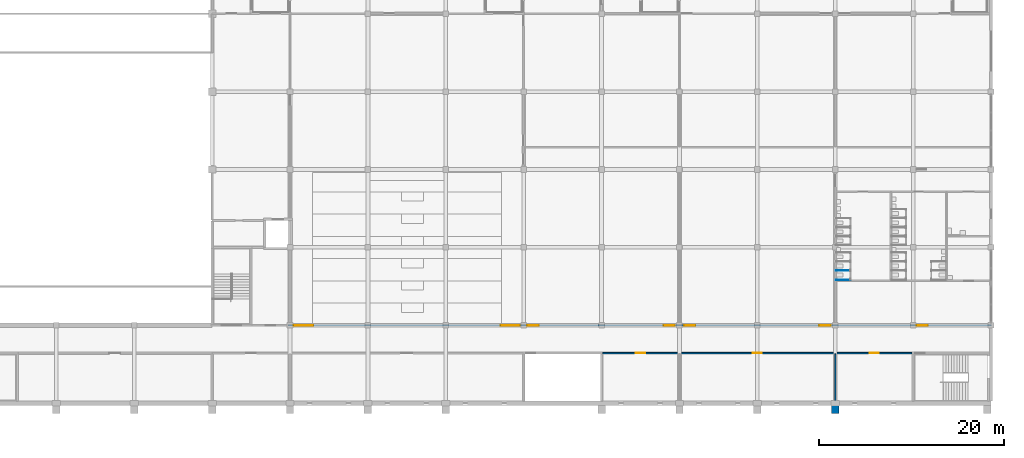
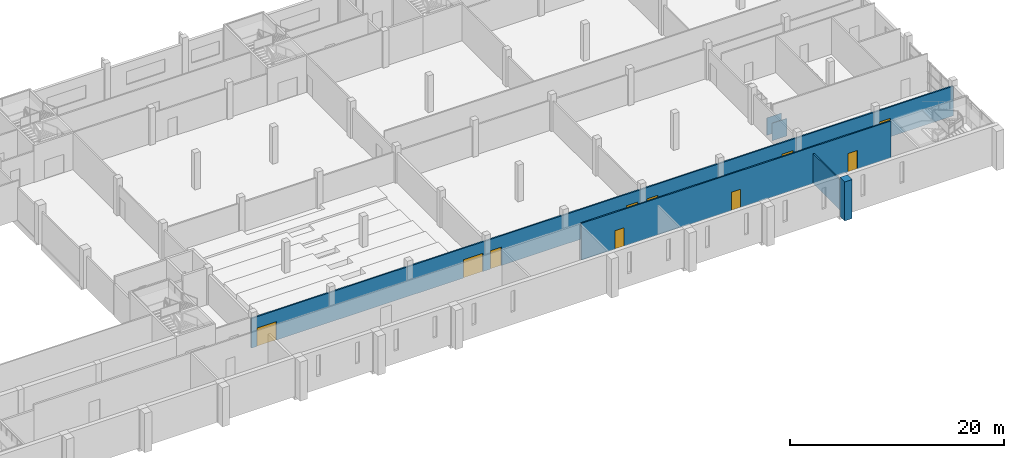
# One storey, part 24 of 56: 10 doors, 6 walls, 10 openings.
"""IFC4 building model written with IfcOpenShell, lengths in metres."""

from ifc_helpers import new_model, si_unit, direction, frame, frame_2d, origin, place, context, subcontext, project, spatial, rectangle, extrude, material, layer, layer_set, type_object, element, fill, save


model = new_model("IFC4")

# Units and contexts
model_context = context("Model", 3, precision=1e-05, world=origin(), true_north=direction((0.0, 1.0)))
body_context = subcontext(model_context, "Body", "Model", "MODEL_VIEW")
ifc_project = project(units=[si_unit("LENGTHUNIT", "METRE"), si_unit("AREAUNIT", "SQUARE_METRE"), si_unit("VOLUMEUNIT", "CUBIC_METRE"), si_unit("PLANEANGLEUNIT", "RADIAN"), si_unit("MASSUNIT", "GRAM", prefix="KILO")], contexts=[model_context])

# Site, building, storey
site_placement = place(None, origin())
site = spatial("IfcSite", under=ifc_project, at=site_placement, CompositionType="ELEMENT")
building_placement = place(site_placement, origin())
building = spatial("IfcBuilding", under=site, at=building_placement, Name="Rulbaag Community and Learning Centre", CompositionType="ELEMENT")
storey_placement = place(building_placement, frame((0.0, 0.0, 9.89990234375)))
storey = spatial("IfcBuildingStorey", under=building, at=storey_placement, Name="L02", CompositionType="ELEMENT", Elevation=9.89990234375)

# Walls
ifc_material_1 = material(Name="High pressure laminate", Category="wood")
ifc_layer_1 = layer(ifc_material_1, 0.0400390625)
ifc_layer_set_1 = layer_set([ifc_layer_1], Name="CP-40")
wall_type_1 = type_object("IfcWallType", Name="CP-40", PredefinedType="PARTITIONING", material=ifc_layer_set_1)
for number, where, z_axis, x_axis, name in (
    (1, (151.27490234375, 13.294921875, 0.0), (0.0, 0.0, 1.0), (1.0, 0.0, 0.0), "Cubicle partition"),
    (2, (151.27490234375, 14.2900390625, 0.0), (0.0, 0.0, 1.0), (1.0, 0.0, 0.0), "Cubicle partition"),
):
    element("IfcWall", number, at=place(storey_placement, frame(where, z_axis=z_axis, x_axis=x_axis)), inside=storey, type_object=wall_type_1, Name=name, PredefinedType="PARTITIONING", context=body_context, shape_type="SweptSolid", body=[
        extrude(rectangle(XDim=1.59521484375, YDim=0.0400390625, at=frame_2d((0.797607421875, 0.0))), origin(), (0.0, 0.0, 1.0), 2.0),
    ])
ifc_material_2 = material(Name="Concrete M40", Category="concrete")
ifc_layer_2 = layer(ifc_material_2, 0.800048828125)
ifc_layer_set_2 = layer_set([ifc_layer_2], Name="EW-BTR")
wall_type_2 = type_object("IfcWallType", Name="EW-BTR", PredefinedType="SOLIDWALL", material=ifc_layer_set_2)
wall_1_placement = place(storey_placement, frame((151.199951171875, -0.22509765625, -0.25), z_axis=(0.0, 0.0, 1.0), x_axis=(0.0, -1.0, 0.0)))
element("IfcWall", 3, at=wall_1_placement, inside=storey, type_object=wall_type_2, Name="Buttress pier", PredefinedType="SOLIDWALL", context=body_context, shape_type="SweptSolid", body=[
    extrude(rectangle(XDim=0.89990234375, YDim=0.800048828125, at=frame_2d((0.449951171875, 0.0))), origin(), (0.0, 0.0, 1.0), 4.4501953125),
])

# Wall, openings, doors
ifc_material_3 = material(Name="Concrete blockwork", Category="masonry")
ifc_layer_3 = layer(ifc_material_3, 0.14990234375)
ifc_layer_set_3 = layer_set([ifc_layer_3], Name="IP-150 PARTITION 150")
wall_type_3 = type_object("IfcWallType", Name="IP-150 PARTITION 150", PredefinedType="PARTITIONING", material=ifc_layer_set_3)
wall_2_placement = place(storey_placement, frame((126.10009765625, 5.39990234375, 0.0), z_axis=(0.0, 0.0, 1.0), x_axis=(1.0, 0.0, 0.0)))
wall_2 = element("IfcWall", 4, at=wall_2_placement, inside=storey, type_object=wall_type_3, Name="Partition L02 6", PredefinedType="PARTITIONING", context=body_context, shape_type="SweptSolid", body=[
    extrude(rectangle(XDim=33.39990234375, YDim=0.14990234375, at=frame_2d((16.699951171875, 0.0))), origin(), (0.0, 0.0, 1.0), 4.2001953125),
])
opening_1_placement = place(wall_2_placement, frame((3.60009765625, 0.0, 0.0)))
opening_1 = element("IfcOpeningElement", 5, at=opening_1_placement, cuts=wall_2, Name="Opening L02-D071", PredefinedType="OPENING", context=body_context, shape_type="SweptSolid", body=[
    extrude(rectangle(XDim=1.0, YDim=2.10009765625, at=frame_2d((0.5, 1.050048828125))), frame((0.0, 0.0849609375, 0.0), z_axis=(0.0, -1.0, 0.0), x_axis=(1.0, 0.0, 0.0)), (0.0, 0.0, 1.0), 0.169921875),
])
opening_2_placement = place(wall_2_placement, frame((16.199951171875, 0.0, 0.0)))
opening_2 = element("IfcOpeningElement", 6, at=opening_2_placement, cuts=wall_2, Name="Opening L02-D078", PredefinedType="OPENING", context=body_context, shape_type="SweptSolid", body=[
    extrude(rectangle(XDim=1.0, YDim=2.10009765625, at=frame_2d((0.5, 1.050048828125))), frame((0.0, 0.0849609375, 0.0), z_axis=(0.0, -1.0, 0.0), x_axis=(1.0, 0.0, 0.0)), (0.0, 0.0, 1.0), 0.169921875),
])
opening_3_placement = place(wall_2_placement, frame((28.800048828125, 0.0, 0.0)))
opening_3 = element("IfcOpeningElement", 7, at=opening_3_placement, cuts=wall_2, Name="Opening L02-D107", PredefinedType="OPENING", context=body_context, shape_type="SweptSolid", body=[
    extrude(rectangle(XDim=1.0, YDim=2.10009765625, at=frame_2d((0.5, 1.050048828125))), frame((0.0, 0.0849609375, 0.0), z_axis=(0.0, -1.0, 0.0), x_axis=(1.0, 0.0, 0.0)), (0.0, 0.0, 1.0), 0.169921875),
])
ifc_material_4 = material(Name="Timber", Category="wood")
door_type_1 = type_object("IfcDoorType", Name="D-1000 DOOR 1000 x 2100", OperationType="SINGLE_SWING_LEFT", PredefinedType="DOOR", material=ifc_material_4)
door_1_placement = place(opening_1_placement, origin())
door_1 = element("IfcDoor", 8, at=door_1_placement, inside=storey, type_object=door_type_1, Name="Door L02-D071", OperationType="SINGLE_SWING_LEFT", OverallHeight=2.10009765625, OverallWidth=1.0, PredefinedType="DOOR", context=body_context, shape_type="SweptSolid", body=[
    extrude(rectangle(XDim=1.0, YDim=2.10009765625, at=frame_2d((0.5, 1.050048828125))), frame((0.0, 0.02490234375, 0.0), z_axis=(0.0, -1.0, 0.0), x_axis=(1.0, 0.0, 0.0)), (0.0, 0.0, 1.0), 0.050048828125),
])
fill(opening_1, door_1)
door_2_placement = place(opening_2_placement, origin())
door_2 = element("IfcDoor", 9, at=door_2_placement, inside=storey, type_object=door_type_1, Name="Door L02-D078", OperationType="SINGLE_SWING_RIGHT", OverallHeight=2.10009765625, OverallWidth=1.0, PredefinedType="DOOR", context=body_context, shape_type="SweptSolid", body=[
    extrude(rectangle(XDim=1.0, YDim=2.10009765625, at=frame_2d((0.5, 1.050048828125))), frame((0.0, 0.02490234375, 0.0), z_axis=(0.0, -1.0, 0.0), x_axis=(1.0, 0.0, 0.0)), (0.0, 0.0, 1.0), 0.050048828125),
])
fill(opening_2, door_2)
door_3_placement = place(opening_3_placement, origin())
door_3 = element("IfcDoor", 10, at=door_3_placement, inside=storey, type_object=door_type_1, Name="Door L02-D107", OperationType="SINGLE_SWING_RIGHT", OverallHeight=2.10009765625, OverallWidth=1.0, PredefinedType="DOOR", context=body_context, shape_type="SweptSolid", body=[
    extrude(rectangle(XDim=1.0, YDim=2.10009765625, at=frame_2d((0.5, 1.050048828125))), frame((0.0, 0.02490234375, 0.0), z_axis=(0.0, -1.0, 0.0), x_axis=(1.0, 0.0, 0.0)), (0.0, 0.0, 1.0), 0.050048828125),
])
fill(opening_3, door_3)

wall_3_placement = place(storey_placement, frame((92.199951171875, 8.39990234375, 0.0), z_axis=(0.0, 0.0, 1.0), x_axis=(1.0, 0.0, 0.0)))
wall_3 = element("IfcWall", 11, at=wall_3_placement, inside=storey, type_object=wall_type_3, Name="Partition L02 8.2", PredefinedType="PARTITIONING", context=body_context, shape_type="SweptSolid", body=[
    extrude(rectangle(XDim=75.800048828125, YDim=0.14990234375, at=frame_2d((37.89990234375, 0.0))), origin(), (0.0, 0.0, 1.0), 3.400146484375),
])
opening_4_placement = place(wall_3_placement, frame((0.60009765625, 0.0, 0.0)))
opening_4 = element("IfcOpeningElement", 12, at=opening_4_placement, cuts=wall_3, Name="Opening L02-D055", PredefinedType="OPENING", context=body_context, shape_type="SweptSolid", body=[
    extrude(rectangle(XDim=2.10009765625, YDim=2.10009765625, at=frame_2d((1.050048828125, 1.050048828125))), frame((0.0, 0.0849609375, 0.0), z_axis=(0.0, -1.0, 0.0), x_axis=(1.0, 0.0, 0.0)), (0.0, 0.0, 1.0), 0.169921875),
])
opening_5_placement = place(wall_3_placement, frame((22.89990234375, 0.0, 0.0)))
opening_5 = element("IfcOpeningElement", 13, at=opening_5_placement, cuts=wall_3, Name="Opening L02-D061", PredefinedType="OPENING", context=body_context, shape_type="SweptSolid", body=[
    extrude(rectangle(XDim=2.10009765625, YDim=2.10009765625, at=frame_2d((1.050048828125, 1.050048828125))), frame((0.0, 0.0849609375, 0.0), z_axis=(0.0, -1.0, 0.0), x_axis=(1.0, 0.0, 0.0)), (0.0, 0.0, 1.0), 0.169921875),
])
opening_6_placement = place(wall_3_placement, frame((25.800048828125, 0.0, 0.0)))
opening_6 = element("IfcOpeningElement", 14, at=opening_6_placement, cuts=wall_3, Name="Opening L02-D067", PredefinedType="OPENING", context=body_context, shape_type="SweptSolid", body=[
    extrude(rectangle(XDim=1.199951171875, YDim=2.10009765625, at=frame_2d((0.60009765625, 1.050048828125))), frame((0.0, 0.0849609375, 0.0), z_axis=(0.0, -1.0, 0.0), x_axis=(1.0, 0.0, 0.0)), (0.0, 0.0, 1.0), 0.169921875),
])
opening_7_placement = place(wall_3_placement, frame((40.5, 0.0, 0.0)))
opening_7 = element("IfcOpeningElement", 15, at=opening_7_placement, cuts=wall_3, Name="Opening L02-D073", PredefinedType="OPENING", context=body_context, shape_type="SweptSolid", body=[
    extrude(rectangle(XDim=1.199951171875, YDim=2.10009765625, at=frame_2d((0.60009765625, 1.050048828125))), frame((0.0, 0.0849609375, 0.0), z_axis=(0.0, -1.0, 0.0), x_axis=(1.0, 0.0, 0.0)), (0.0, 0.0, 1.0), 0.169921875),
])
opening_8_placement = place(wall_3_placement, frame((42.699951171875, 0.0, 0.0)))
opening_8 = element("IfcOpeningElement", 16, at=opening_8_placement, cuts=wall_3, Name="Opening L02-D077", PredefinedType="OPENING", context=body_context, shape_type="SweptSolid", body=[
    extrude(rectangle(XDim=1.199951171875, YDim=2.10009765625, at=frame_2d((0.60009765625, 1.050048828125))), frame((0.0, 0.0849609375, 0.0), z_axis=(0.0, -1.0, 0.0), x_axis=(1.0, 0.0, 0.0)), (0.0, 0.0, 1.0), 0.169921875),
])
opening_9_placement = place(wall_3_placement, frame((57.300048828125, 0.0, 0.0)))
opening_9 = element("IfcOpeningElement", 17, at=opening_9_placement, cuts=wall_3, Name="Opening L02-D092", PredefinedType="OPENING", context=body_context, shape_type="SweptSolid", body=[
    extrude(rectangle(XDim=1.199951171875, YDim=2.10009765625, at=frame_2d((0.60009765625, 1.050048828125))), frame((0.0, 0.0849609375, 0.0), z_axis=(0.0, -1.0, 0.0), x_axis=(1.0, 0.0, 0.0)), (0.0, 0.0, 1.0), 0.169921875),
])
opening_10_placement = place(wall_3_placement, frame((67.800048828125, 0.0, 0.0)))
opening_10 = element("IfcOpeningElement", 18, at=opening_10_placement, cuts=wall_3, Name="Opening L02-D122", PredefinedType="OPENING", context=body_context, shape_type="SweptSolid", body=[
    extrude(rectangle(XDim=1.199951171875, YDim=2.10009765625, at=frame_2d((0.60009765625, 1.050048828125))), frame((0.0, 0.0849609375, 0.0), z_axis=(0.0, -1.0, 0.0), x_axis=(1.0, 0.0, 0.0)), (0.0, 0.0, 1.0), 0.169921875),
])
door_type_2 = type_object("IfcDoorType", Name="D-2100 LECTURE THEATRE EXIT DOOR PAIR 2100 x 2100", OperationType="DOUBLE_DOOR_SINGLE_SWING", PredefinedType="DOOR", material=ifc_material_4)
door_4_placement = place(opening_4_placement, origin())
door_4 = element("IfcDoor", 19, at=door_4_placement, inside=storey, type_object=door_type_2, Name="Door L02-D055", OperationType="DOUBLE_DOOR_SINGLE_SWING", OverallHeight=2.10009765625, OverallWidth=2.10009765625, PredefinedType="DOOR", context=body_context, shape_type="SweptSolid", body=[
    extrude(rectangle(XDim=2.10009765625, YDim=2.10009765625, at=frame_2d((1.050048828125, 1.050048828125))), frame((0.0, 0.02490234375, 0.0), z_axis=(0.0, -1.0, 0.0), x_axis=(1.0, 0.0, 0.0)), (0.0, 0.0, 1.0), 0.050048828125),
])
fill(opening_4, door_4)
door_5_placement = place(opening_5_placement, origin())
door_5 = element("IfcDoor", 20, at=door_5_placement, inside=storey, type_object=door_type_2, Name="Door L02-D061", OperationType="DOUBLE_DOOR_SINGLE_SWING", OverallHeight=2.10009765625, OverallWidth=2.10009765625, PredefinedType="DOOR", context=body_context, shape_type="SweptSolid", body=[
    extrude(rectangle(XDim=2.10009765625, YDim=2.10009765625, at=frame_2d((1.050048828125, 1.050048828125))), frame((0.0, 0.02490234375, 0.0), z_axis=(0.0, -1.0, 0.0), x_axis=(1.0, 0.0, 0.0)), (0.0, 0.0, 1.0), 0.050048828125),
])
fill(opening_5, door_5)
door_type_3 = type_object("IfcDoorType", Name="DC-1200 CLASSROOM DOOR 1200 x 2100", OperationType="SINGLE_SWING_LEFT", PredefinedType="DOOR", material=ifc_material_4)
door_6_placement = place(opening_6_placement, origin())
door_6 = element("IfcDoor", 21, at=door_6_placement, inside=storey, type_object=door_type_3, Name="Door L02-D067", OperationType="SINGLE_SWING_LEFT", OverallHeight=2.10009765625, OverallWidth=1.199951171875, PredefinedType="DOOR", context=body_context, shape_type="SweptSolid", body=[
    extrude(rectangle(XDim=1.199951171875, YDim=2.10009765625, at=frame_2d((0.60009765625, 1.050048828125))), frame((0.0, 0.02490234375, 0.0), z_axis=(0.0, -1.0, 0.0), x_axis=(1.0, 0.0, 0.0)), (0.0, 0.0, 1.0), 0.050048828125),
])
fill(opening_6, door_6)
door_7_placement = place(opening_7_placement, origin())
door_7 = element("IfcDoor", 22, at=door_7_placement, inside=storey, type_object=door_type_3, Name="Door L02-D073", OperationType="SINGLE_SWING_RIGHT", OverallHeight=2.10009765625, OverallWidth=1.199951171875, PredefinedType="DOOR", context=body_context, shape_type="SweptSolid", body=[
    extrude(rectangle(XDim=1.199951171875, YDim=2.10009765625, at=frame_2d((0.60009765625, 1.050048828125))), frame((0.0, 0.02490234375, 0.0), z_axis=(0.0, -1.0, 0.0), x_axis=(1.0, 0.0, 0.0)), (0.0, 0.0, 1.0), 0.050048828125),
])
fill(opening_7, door_7)
door_8_placement = place(opening_8_placement, origin())
door_8 = element("IfcDoor", 23, at=door_8_placement, inside=storey, type_object=door_type_3, Name="Door L02-D077", OperationType="SINGLE_SWING_RIGHT", OverallHeight=2.10009765625, OverallWidth=1.199951171875, PredefinedType="DOOR", context=body_context, shape_type="SweptSolid", body=[
    extrude(rectangle(XDim=1.199951171875, YDim=2.10009765625, at=frame_2d((0.60009765625, 1.050048828125))), frame((0.0, 0.02490234375, 0.0), z_axis=(0.0, -1.0, 0.0), x_axis=(1.0, 0.0, 0.0)), (0.0, 0.0, 1.0), 0.050048828125),
])
fill(opening_8, door_8)
door_9_placement = place(opening_9_placement, origin())
door_9 = element("IfcDoor", 24, at=door_9_placement, inside=storey, type_object=door_type_3, Name="Door L02-D092", OperationType="SINGLE_SWING_RIGHT", OverallHeight=2.10009765625, OverallWidth=1.199951171875, PredefinedType="DOOR", context=body_context, shape_type="SweptSolid", body=[
    extrude(rectangle(XDim=1.199951171875, YDim=2.10009765625, at=frame_2d((0.60009765625, 1.050048828125))), frame((0.0, 0.02490234375, 0.0), z_axis=(0.0, -1.0, 0.0), x_axis=(1.0, 0.0, 0.0)), (0.0, 0.0, 1.0), 0.050048828125),
])
fill(opening_9, door_9)
door_10_placement = place(opening_10_placement, origin())
door_10 = element("IfcDoor", 25, at=door_10_placement, inside=storey, type_object=door_type_3, Name="Door L02-D122", OperationType="SINGLE_SWING_LEFT", OverallHeight=2.10009765625, OverallWidth=1.199951171875, PredefinedType="DOOR", context=body_context, shape_type="SweptSolid", body=[
    extrude(rectangle(XDim=1.199951171875, YDim=2.10009765625, at=frame_2d((0.60009765625, 1.050048828125))), frame((0.0, 0.02490234375, 0.0), z_axis=(0.0, -1.0, 0.0), x_axis=(1.0, 0.0, 0.0)), (0.0, 0.0, 1.0), 0.050048828125),
])
fill(opening_10, door_10)

# Wall
wall_4_placement = place(storey_placement, frame((151.199951171875, 0.22509765625, 0.0), z_axis=(0.0, 0.0, 1.0), x_axis=(0.0, 1.0, 0.0)))
element("IfcWall", 26, at=wall_4_placement, inside=storey, type_object=wall_type_3, Name="Partition L02 77", PredefinedType="PARTITIONING", context=body_context, shape_type="SweptSolid", body=[
    extrude(rectangle(XDim=5.099853515625, YDim=0.14990234375, at=frame_2d((2.5498046875, 0.0))), origin(), (0.0, 0.0, 1.0), 3.400146484375),
])

save(model, "model.ifc")
